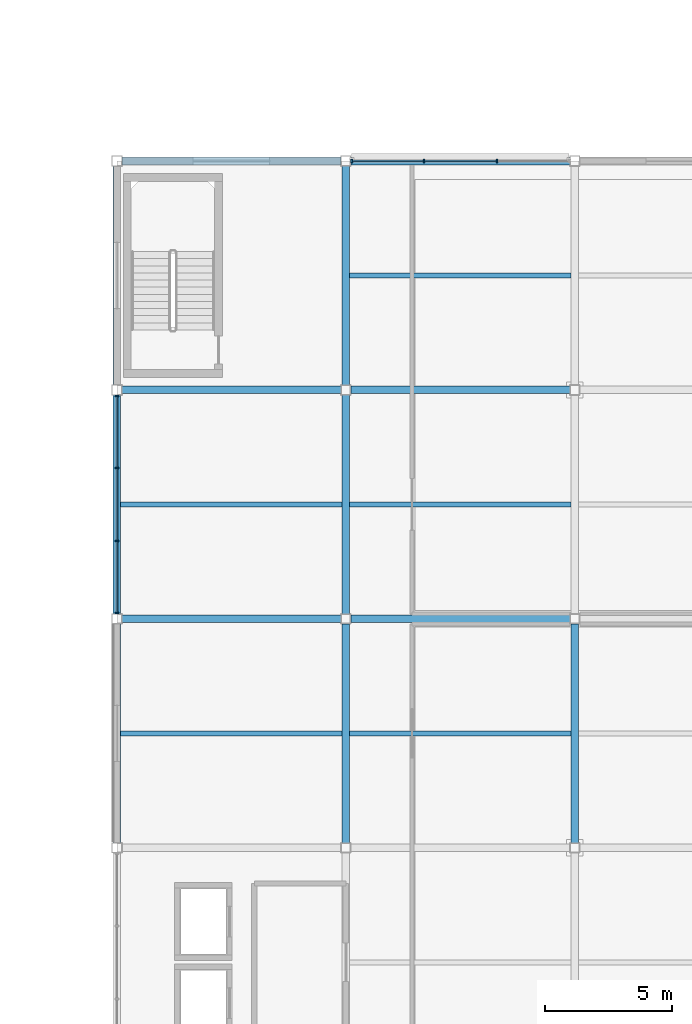
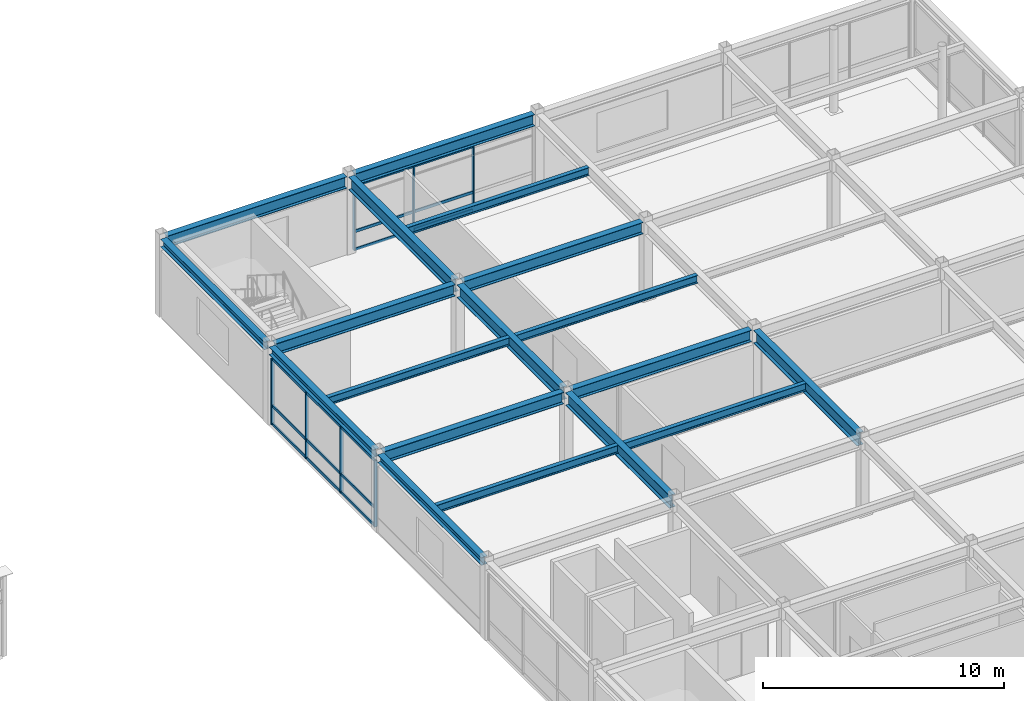
# One storey, part 38 of 70: 22 members, 18 beams, 2 elements without a shape of their own.
"""IFC4 building model written with IfcOpenShell, lengths in metres."""

from ifc_helpers import new_model, si_unit, direction, frame, origin, origin_2d, place, context, subcontext, project, spatial, rectangle, i_section, extrude, material, material_profile, profile_set, type_object, element, aggregate, save


model = new_model("IFC4")

# Units and contexts
model_context = context("Model", 3, precision=1e-05, world=origin(), true_north=direction((0.0, 1.0)))
body_context = subcontext(model_context, "Body", "Model", "MODEL_VIEW")
ifc_project = project(units=[si_unit("LENGTHUNIT", "METRE"), si_unit("AREAUNIT", "SQUARE_METRE"), si_unit("VOLUMEUNIT", "CUBIC_METRE"), si_unit("PLANEANGLEUNIT", "RADIAN"), si_unit("MASSUNIT", "GRAM", prefix="KILO")], contexts=[model_context])

# Site, building, storey
site_placement = place(None, origin())
site = spatial("IfcSite", under=ifc_project, at=site_placement, CompositionType="ELEMENT")
building_placement = place(site_placement, origin())
building = spatial("IfcBuilding", under=site, at=building_placement, Name="Suzunagisa Mobility Hub", CompositionType="ELEMENT")
storey_placement = place(building_placement, frame((0.0, 0.0, 13.5)))
storey = spatial("IfcBuildingStorey", under=building, at=storey_placement, Name="L03", CompositionType="ELEMENT", Elevation=13.5)

# Curtain wall, members
ifc_material_1 = material(Name="Thermally Broken Anodized Aluminum and Low-E Glazing", Category="aluminium")
curtain_wall_type_1 = type_object("IfcCurtainWallType", Name="Unitised Curtain Wall CW-43 8500x3300", PredefinedType="USERDEFINED", material=ifc_material_1)
curtain_wall_1_placement = place(storey_placement, origin())
curtain_wall_1 = element("IfcCurtainWall", 1, at=curtain_wall_1_placement, inside=storey, type_object=curtain_wall_type_1, Name="L03 Unitised Curtain Wall CW-210", ObjectType="UNITISED CURTAIN WALL", PredefinedType="USERDEFINED")
ifc_material_2 = material(Name="Anodized Aluminum 6063-T6", Category="aluminium")
ifc_material_profile_1 = material_profile(ifc_material_2, rectangle(XDim=0.06494140625, YDim=0.139892578125, at=origin_2d()), Name="TRAN-65x140")
ifc_profile_set_1 = profile_set([ifc_material_profile_1], Name="Anodized Aluminum 6063-T6")
member_type_1 = type_object("IfcMemberType", Name="Curtain Wall Framing CM-01 TRAN-65x140", PredefinedType="USERDEFINED", material=ifc_profile_set_1)
member_1_placement = place(storey_placement, frame((158.9052734375, 98.0, 0.032470703125), z_axis=(-1.0, 0.0, 0.0), x_axis=(0.0, -1.0, 0.0)))
member_1 = element("IfcMember", 2, at=member_1_placement, type_object=member_type_1, Name="Curtain Wall Transom 210-T2.1", ObjectType="TRANSOM", PredefinedType="USERDEFINED", context=body_context, shape_type="SweptSolid", body=[
    extrude(rectangle(XDim=0.06494140625, YDim=0.139892578125, at=origin_2d()), origin(), (0.0, 0.0, 1.0), 2.810546875),
])
member_2_placement = place(storey_placement, frame((158.9052734375, 98.0, 0.949951171875), z_axis=(-1.0, 0.0, 0.0), x_axis=(0.0, -1.0, 0.0)))
member_2 = element("IfcMember", 3, at=member_2_placement, type_object=member_type_1, Name="Curtain Wall Transom 210-T2.2", ObjectType="TRANSOM", PredefinedType="USERDEFINED", context=body_context, shape_type="SweptSolid", body=[
    extrude(rectangle(XDim=0.06494140625, YDim=0.139892578125, at=origin_2d()), origin(), (0.0, 0.0, 1.0), 2.810546875),
])
member_3_placement = place(storey_placement, frame((158.9052734375, 98.0, 3.267578125), z_axis=(-1.0, 0.0, 0.0), x_axis=(0.0, -1.0, 0.0)))
member_3 = element("IfcMember", 4, at=member_3_placement, type_object=member_type_1, Name="Curtain Wall Transom 210-T2.3", ObjectType="TRANSOM", PredefinedType="USERDEFINED", context=body_context, shape_type="SweptSolid", body=[
    extrude(rectangle(XDim=0.06494140625, YDim=0.139892578125, at=origin_2d()), origin(), (0.0, 0.0, 1.0), 2.810546875),
])
member_4_placement = place(storey_placement, frame((156.038818359375, 98.0, 0.032470703125), z_axis=(-1.0, 0.0, 0.0), x_axis=(0.0, -1.0, 0.0)))
member_4 = element("IfcMember", 5, at=member_4_placement, type_object=member_type_1, Name="Curtain Wall Transom 210-T3.1", ObjectType="TRANSOM", PredefinedType="USERDEFINED", context=body_context, shape_type="SweptSolid", body=[
    extrude(rectangle(XDim=0.06494140625, YDim=0.139892578125, at=origin_2d()), origin(), (0.0, 0.0, 1.0), 2.78076171875),
])
member_5_placement = place(storey_placement, frame((156.038818359375, 98.0, 0.949951171875), z_axis=(-1.0, 0.0, 0.0), x_axis=(0.0, -1.0, 0.0)))
member_5 = element("IfcMember", 6, at=member_5_placement, type_object=member_type_1, Name="Curtain Wall Transom 210-T3.2", ObjectType="TRANSOM", PredefinedType="USERDEFINED", context=body_context, shape_type="SweptSolid", body=[
    extrude(rectangle(XDim=0.06494140625, YDim=0.139892578125, at=origin_2d()), origin(), (0.0, 0.0, 1.0), 2.78076171875),
])
member_6_placement = place(storey_placement, frame((156.038818359375, 98.0, 3.267578125), z_axis=(-1.0, 0.0, 0.0), x_axis=(0.0, -1.0, 0.0)))
member_6 = element("IfcMember", 7, at=member_6_placement, type_object=member_type_1, Name="Curtain Wall Transom 210-T3.3", ObjectType="TRANSOM", PredefinedType="USERDEFINED", context=body_context, shape_type="SweptSolid", body=[
    extrude(rectangle(XDim=0.06494140625, YDim=0.139892578125, at=origin_2d()), origin(), (0.0, 0.0, 1.0), 2.78076171875),
])

curtain_wall_type_2 = type_object("IfcCurtainWallType", Name="Unitised Curtain Wall CW-29 8500x3400", PredefinedType="USERDEFINED", material=ifc_material_1)
curtain_wall_2_placement = place(storey_placement, origin())
curtain_wall_2 = element("IfcCurtainWall", 8, at=curtain_wall_2_placement, inside=storey, type_object=curtain_wall_type_2, Name="L03 Unitised Curtain Wall CW-211", ObjectType="UNITISED CURTAIN WALL", PredefinedType="USERDEFINED")
member_7_placement = place(storey_placement, frame((144.0, 88.741943359375, 0.032470703125), z_axis=(0.0, -1.0, 0.0), x_axis=(1.0, 0.0, 0.0)))
member_7 = element("IfcMember", 9, at=member_7_placement, type_object=member_type_1, Name="Curtain Wall Transom 211-T1.1", ObjectType="TRANSOM", PredefinedType="USERDEFINED", context=body_context, shape_type="SweptSolid", body=[
    extrude(rectangle(XDim=0.06494140625, YDim=0.139892578125, at=origin_2d()), origin(), (0.0, 0.0, 1.0), 2.78076171875),
])
member_8_placement = place(storey_placement, frame((144.0, 88.741943359375, 0.949951171875), z_axis=(0.0, -1.0, 0.0), x_axis=(1.0, 0.0, 0.0)))
member_8 = element("IfcMember", 10, at=member_8_placement, type_object=member_type_1, Name="Curtain Wall Transom 211-T1.2", ObjectType="TRANSOM", PredefinedType="USERDEFINED", context=body_context, shape_type="SweptSolid", body=[
    extrude(rectangle(XDim=0.06494140625, YDim=0.139892578125, at=origin_2d()), origin(), (0.0, 0.0, 1.0), 2.78076171875),
])
member_9_placement = place(storey_placement, frame((144.0, 88.741943359375, 3.32958984375), z_axis=(0.0, -1.0, 0.0), x_axis=(1.0, 0.0, 0.0)))
member_9 = element("IfcMember", 11, at=member_9_placement, type_object=member_type_1, Name="Curtain Wall Transom 211-T1.3", ObjectType="TRANSOM", PredefinedType="USERDEFINED", context=body_context, shape_type="SweptSolid", body=[
    extrude(rectangle(XDim=0.06494140625, YDim=0.139892578125, at=origin_2d()), origin(), (0.0, 0.0, 1.0), 2.78076171875),
])
member_10_placement = place(storey_placement, frame((144.0, 85.9052734375, 0.032470703125), z_axis=(0.0, -1.0, 0.0), x_axis=(1.0, 0.0, 0.0)))
member_10 = element("IfcMember", 12, at=member_10_placement, type_object=member_type_1, Name="Curtain Wall Transom 211-T2.1", ObjectType="TRANSOM", PredefinedType="USERDEFINED", context=body_context, shape_type="SweptSolid", body=[
    extrude(rectangle(XDim=0.06494140625, YDim=0.139892578125, at=origin_2d()), origin(), (0.0, 0.0, 1.0), 2.810546875),
])
member_11_placement = place(storey_placement, frame((144.0, 85.9052734375, 0.949951171875), z_axis=(0.0, -1.0, 0.0), x_axis=(1.0, 0.0, 0.0)))
member_11 = element("IfcMember", 13, at=member_11_placement, type_object=member_type_1, Name="Curtain Wall Transom 211-T2.2", ObjectType="TRANSOM", PredefinedType="USERDEFINED", context=body_context, shape_type="SweptSolid", body=[
    extrude(rectangle(XDim=0.06494140625, YDim=0.139892578125, at=origin_2d()), origin(), (0.0, 0.0, 1.0), 2.810546875),
])
member_12_placement = place(storey_placement, frame((144.0, 85.9052734375, 3.32958984375), z_axis=(0.0, -1.0, 0.0), x_axis=(1.0, 0.0, 0.0)))
member_12 = element("IfcMember", 14, at=member_12_placement, type_object=member_type_1, Name="Curtain Wall Transom 211-T2.3", ObjectType="TRANSOM", PredefinedType="USERDEFINED", context=body_context, shape_type="SweptSolid", body=[
    extrude(rectangle(XDim=0.06494140625, YDim=0.139892578125, at=origin_2d()), origin(), (0.0, 0.0, 1.0), 2.810546875),
])
member_13_placement = place(storey_placement, frame((144.0, 83.038818359375, 0.032470703125), z_axis=(0.0, -1.0, 0.0), x_axis=(1.0, 0.0, 0.0)))
member_13 = element("IfcMember", 15, at=member_13_placement, type_object=member_type_1, Name="Curtain Wall Transom 211-T3.1", ObjectType="TRANSOM", PredefinedType="USERDEFINED", context=body_context, shape_type="SweptSolid", body=[
    extrude(rectangle(XDim=0.06494140625, YDim=0.139892578125, at=origin_2d()), origin(), (0.0, 0.0, 1.0), 2.78076171875),
])
member_14_placement = place(storey_placement, frame((144.0, 83.038818359375, 0.949951171875), z_axis=(0.0, -1.0, 0.0), x_axis=(1.0, 0.0, 0.0)))
member_14 = element("IfcMember", 16, at=member_14_placement, type_object=member_type_1, Name="Curtain Wall Transom 211-T3.2", ObjectType="TRANSOM", PredefinedType="USERDEFINED", context=body_context, shape_type="SweptSolid", body=[
    extrude(rectangle(XDim=0.06494140625, YDim=0.139892578125, at=origin_2d()), origin(), (0.0, 0.0, 1.0), 2.78076171875),
])
member_15_placement = place(storey_placement, frame((144.0, 83.038818359375, 3.32958984375), z_axis=(0.0, -1.0, 0.0), x_axis=(1.0, 0.0, 0.0)))
member_15 = element("IfcMember", 17, at=member_15_placement, type_object=member_type_1, Name="Curtain Wall Transom 211-T3.3", ObjectType="TRANSOM", PredefinedType="USERDEFINED", context=body_context, shape_type="SweptSolid", body=[
    extrude(rectangle(XDim=0.06494140625, YDim=0.139892578125, at=origin_2d()), origin(), (0.0, 0.0, 1.0), 2.78076171875),
])

# Member
ifc_material_profile_2 = material_profile(ifc_material_2, rectangle(XDim=0.06005859375, YDim=0.14990234375, at=origin_2d()), Name="MULL-60x150")
ifc_profile_set_2 = profile_set([ifc_material_profile_2], Name="Anodized Aluminum 6063-T6")
member_type_2 = type_object("IfcMemberType", Name="Curtain Wall Framing CM-03 MULL-60x150", PredefinedType="MULLION", material=ifc_profile_set_2)
member_16_placement = place(storey_placement, frame((158.933349609375, 98.0, 0.0), z_axis=(0.0, 0.0, 1.0), x_axis=(-1.0, 0.0, 0.0)))
member_16 = element("IfcMember", 18, at=member_16_placement, type_object=member_type_2, Name="Curtain Wall Mullion 210-M2", PredefinedType="MULLION", context=body_context, shape_type="SweptSolid", body=[
    extrude(rectangle(XDim=0.06005859375, YDim=0.14990234375, at=origin_2d()), origin(), (0.0, 0.0, 1.0), 3.300048828125),
])

member_17_placement = place(storey_placement, frame((156.066650390625, 98.0, 0.0), z_axis=(0.0, 0.0, 1.0), x_axis=(-1.0, 0.0, 0.0)))
member_17 = element("IfcMember", 19, at=member_17_placement, type_object=member_type_2, Name="Curtain Wall Mullion 210-M3", PredefinedType="MULLION", context=body_context, shape_type="SweptSolid", body=[
    extrude(rectangle(XDim=0.06005859375, YDim=0.14990234375, at=origin_2d()), origin(), (0.0, 0.0, 1.0), 3.300048828125),
])

member_18_placement = place(storey_placement, frame((153.22998046875, 98.0, 0.0), z_axis=(0.0, 0.0, 1.0), x_axis=(-1.0, 0.0, 0.0)))
member_18 = element("IfcMember", 20, at=member_18_placement, type_object=member_type_2, Name="Curtain Wall Mullion 210-M4", PredefinedType="MULLION", context=body_context, shape_type="SweptSolid", body=[
    extrude(rectangle(XDim=0.06005859375, YDim=0.14990234375, at=origin_2d()), origin(), (0.0, 0.0, 1.0), 3.300048828125),
])

aggregate(curtain_wall_1, [member_16, member_17, member_18, member_1, member_2, member_3, member_4, member_5, member_6])

member_19_placement = place(storey_placement, frame((144.0, 88.77001953125, 0.0), z_axis=(0.0, 0.0, 1.0), x_axis=(0.0, -1.0, 0.0)))
member_19 = element("IfcMember", 21, at=member_19_placement, type_object=member_type_2, Name="Curtain Wall Mullion 211-M1", PredefinedType="MULLION", context=body_context, shape_type="SweptSolid", body=[
    extrude(rectangle(XDim=0.06005859375, YDim=0.14990234375, at=origin_2d()), origin(), (0.0, 0.0, 1.0), 3.362060546875),
])

member_20_placement = place(storey_placement, frame((144.0, 85.933349609375, 0.0), z_axis=(0.0, 0.0, 1.0), x_axis=(0.0, -1.0, 0.0)))
member_20 = element("IfcMember", 22, at=member_20_placement, type_object=member_type_2, Name="Curtain Wall Mullion 211-M2", PredefinedType="MULLION", context=body_context, shape_type="SweptSolid", body=[
    extrude(rectangle(XDim=0.06005859375, YDim=0.14990234375, at=origin_2d()), origin(), (0.0, 0.0, 1.0), 3.362060546875),
])

member_21_placement = place(storey_placement, frame((144.0, 83.066650390625, 0.0), z_axis=(0.0, 0.0, 1.0), x_axis=(0.0, -1.0, 0.0)))
member_21 = element("IfcMember", 23, at=member_21_placement, type_object=member_type_2, Name="Curtain Wall Mullion 211-M3", PredefinedType="MULLION", context=body_context, shape_type="SweptSolid", body=[
    extrude(rectangle(XDim=0.06005859375, YDim=0.14990234375, at=origin_2d()), origin(), (0.0, 0.0, 1.0), 3.362060546875),
])

member_22_placement = place(storey_placement, frame((144.0, 80.22998046875, 0.0), z_axis=(0.0, 0.0, 1.0), x_axis=(0.0, -1.0, 0.0)))
member_22 = element("IfcMember", 24, at=member_22_placement, type_object=member_type_2, Name="Curtain Wall Mullion 211-M4", PredefinedType="MULLION", context=body_context, shape_type="SweptSolid", body=[
    extrude(rectangle(XDim=0.06005859375, YDim=0.14990234375, at=origin_2d()), origin(), (0.0, 0.0, 1.0), 3.362060546875),
])

aggregate(curtain_wall_2, [member_19, member_20, member_21, member_22, member_7, member_8, member_9, member_10, member_11, member_12, member_13, member_14, member_15])

# Beams
ifc_material_3 = material(Name="Steel SN490B", Category="steel")
ifc_material_profile_3 = material_profile(ifc_material_3, i_section(OverallWidth=0.300048828125, OverallDepth=0.64990234375, WebThickness=0.012939453125, FlangeThickness=0.02197265625, FilletRadius=0.01611328125, at=origin_2d()), Name="H-650x300x13x22")
ifc_profile_set_3 = profile_set([ifc_material_profile_3], Name="Steel SN490B")
beam_type_1 = type_object("IfcBeamType", Name="Steel Beam BM-10 H-650x300x13x22", PredefinedType="BEAM", material=ifc_profile_set_3)
for number, where, z_axis, x_axis, name in (
    (25, (153.0, 71.196044921875, 3.625), (0.0, 1.0, 0.0), (-1.0, 0.0, 0.0), "L03 Primary Girder GY-1998"),
    (26, (153.0, 80.196044921875, 3.625), (0.0, 1.0, 0.0), (-1.0, 0.0, 0.0), "L03 Primary Girder GY-1999"),
    (27, (153.0, 89.196044921875, 3.625), (0.0, 1.0, 0.0), (-1.0, 0.0, 0.0), "L03 Primary Girder GY-2000"),
    (28, (162.0, 71.196044921875, 3.625), (0.0, 1.0, 0.0), (-1.0, 0.0, 0.0), "L03 Primary Girder GY-2004"),
):
    element("IfcBeam", number, at=place(storey_placement, frame(where, z_axis=z_axis, x_axis=x_axis)), inside=storey, type_object=beam_type_1, Name=name, PredefinedType="BEAM", context=body_context, shape_type="SweptSolid", body=[
        extrude(i_section(OverallWidth=0.300048828125, OverallDepth=0.64990234375, WebThickness=0.012939453125, FlangeThickness=0.02197265625, FilletRadius=0.01611328125, at=origin_2d()), origin(), (0.0, 0.0, 1.0), 8.60791015625),
    ])
ifc_material_profile_4 = material_profile(ifc_material_3, i_section(OverallWidth=0.300048828125, OverallDepth=0.389892578125, WebThickness=0.010009765625, FlangeThickness=0.01611328125, FilletRadius=0.012939453125, at=origin_2d()), Name="H-390x300x10x16")
ifc_profile_set_4 = profile_set([ifc_material_profile_4], Name="Steel SN490B")
beam_type_2 = type_object("IfcBeamType", Name="Steel Beam BM-13 H-390x300x10x16", PredefinedType="SPANDREL", material=ifc_profile_set_4)
for number, where, z_axis, x_axis, name in (
    (29, (144.0, 71.196044921875, 3.7548828125), (0.0, 1.0, 0.0), (-1.0, 0.0, 0.0), "L03 Primary Girder GY-1992"),
    (30, (144.0, 80.196044921875, 3.7548828125), (0.0, 1.0, 0.0), (-1.0, 0.0, 0.0), "L03 Primary Girder GY-1993"),
    (31, (144.0, 89.196044921875, 3.7548828125), (0.0, 1.0, 0.0), (-1.0, 0.0, 0.0), "L03 Primary Girder GY-1994"),
):
    element("IfcBeam", number, at=place(storey_placement, frame(where, z_axis=z_axis, x_axis=x_axis)), inside=storey, type_object=beam_type_2, Name=name, PredefinedType="SPANDREL", context=body_context, shape_type="SweptSolid", body=[
        extrude(i_section(OverallWidth=0.300048828125, OverallDepth=0.389892578125, WebThickness=0.010009765625, FlangeThickness=0.01611328125, FilletRadius=0.012939453125, at=origin_2d()), origin(), (0.0, 0.0, 1.0), 8.60791015625),
    ])
ifc_material_4 = material(Name="Steel SN400B", Category="steel")
ifc_material_profile_5 = material_profile(ifc_material_4, i_section(OverallWidth=0.199951171875, OverallDepth=0.39990234375, WebThickness=0.008056640625, FlangeThickness=0.012939453125, FilletRadius=0.012939453125, at=origin_2d()), Name="H-400x200x8x13")
ifc_profile_set_5 = profile_set([ifc_material_profile_5], Name="Steel SN400B")
beam_type_3 = type_object("IfcBeamType", Name="Steel Beam BM-14 H-400x200x8x13", PredefinedType="JOIST", material=ifc_profile_set_5)
for number, where, z_axis, x_axis, name in (
    (32, (144.14990234375, 75.5, 3.75), (1.0, 0.0, 0.0), (0.0, 1.0, 0.0), "L03 Composite Floor Joist J-2020"),
    (33, (144.14990234375, 84.5, 3.75), (1.0, 0.0, 0.0), (0.0, 1.0, 0.0), "L03 Composite Floor Joist J-2021"),
    (34, (153.14990234375, 75.5, 3.75), (1.0, 0.0, 0.0), (0.0, 1.0, 0.0), "L03 Composite Floor Joist J-2025"),
    (35, (153.14990234375, 84.5, 3.75), (1.0, 0.0, 0.0), (0.0, 1.0, 0.0), "L03 Composite Floor Joist J-2026"),
    (36, (153.14990234375, 93.5, 3.75), (1.0, 0.0, 0.0), (0.0, 1.0, 0.0), "L03 Composite Floor Joist J-2027"),
):
    element("IfcBeam", number, at=place(storey_placement, frame(where, z_axis=z_axis, x_axis=x_axis)), inside=storey, type_object=beam_type_3, Name=name, PredefinedType="JOIST", context=body_context, shape_type="SweptSolid", body=[
        extrude(i_section(OverallWidth=0.199951171875, OverallDepth=0.39990234375, WebThickness=0.008056640625, FlangeThickness=0.012939453125, FilletRadius=0.012939453125, at=origin_2d()), origin(), (0.0, 0.0, 1.0), 8.7001953125),
    ])
ifc_material_profile_6 = material_profile(ifc_material_3, i_section(OverallWidth=0.300048828125, OverallDepth=0.587890625, WebThickness=0.011962890625, FlangeThickness=0.02001953125, FilletRadius=0.012939453125, at=origin_2d()), Name="H-588x300x12x20")
ifc_profile_set_6 = profile_set([ifc_material_profile_6], Name="Steel SN490B")
beam_type_4 = type_object("IfcBeamType", Name="Steel Beam BM-16 H-588x300x12x20", PredefinedType="BEAM", material=ifc_profile_set_6)
for number, where, z_axis, x_axis, name in (
    (37, (144.196044921875, 80.0, 3.656005859375), (1.0, 0.0, 0.0), (0.0, 1.0, 0.0), "L03 Primary Girder GX-1977"),
    (38, (153.196044921875, 80.0, 3.656005859375), (1.0, 0.0, 0.0), (0.0, 1.0, 0.0), "L03 Primary Girder GX-1978"),
    (39, (144.196044921875, 89.0, 3.656005859375), (1.0, 0.0, 0.0), (0.0, 1.0, 0.0), "L03 Primary Girder GX-1981"),
    (40, (153.196044921875, 89.0, 3.656005859375), (1.0, 0.0, 0.0), (0.0, 1.0, 0.0), "L03 Primary Girder GX-1982"),
    (41, (144.196044921875, 98.0, 3.656005859375), (1.0, 0.0, 0.0), (0.0, 1.0, 0.0), "L03 Primary Girder GX-1985"),
    (42, (153.196044921875, 98.0, 3.656005859375), (1.0, 0.0, 0.0), (0.0, 1.0, 0.0), "L03 Primary Girder GX-1986"),
):
    element("IfcBeam", number, at=place(storey_placement, frame(where, z_axis=z_axis, x_axis=x_axis)), inside=storey, type_object=beam_type_4, Name=name, PredefinedType="BEAM", context=body_context, shape_type="SweptSolid", body=[
        extrude(i_section(OverallWidth=0.300048828125, OverallDepth=0.587890625, WebThickness=0.011962890625, FlangeThickness=0.02001953125, FilletRadius=0.012939453125, at=origin_2d()), origin(), (0.0, 0.0, 1.0), 8.60791015625),
    ])

save(model, "model.ifc")
